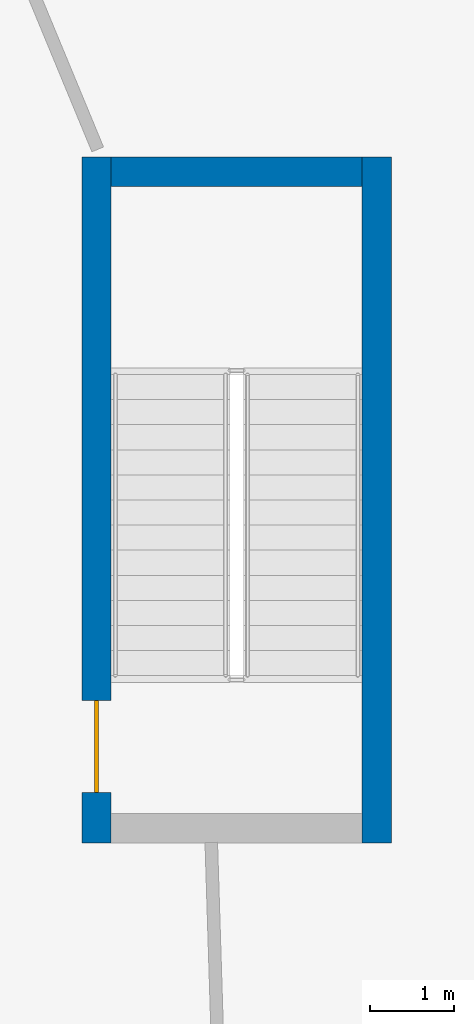
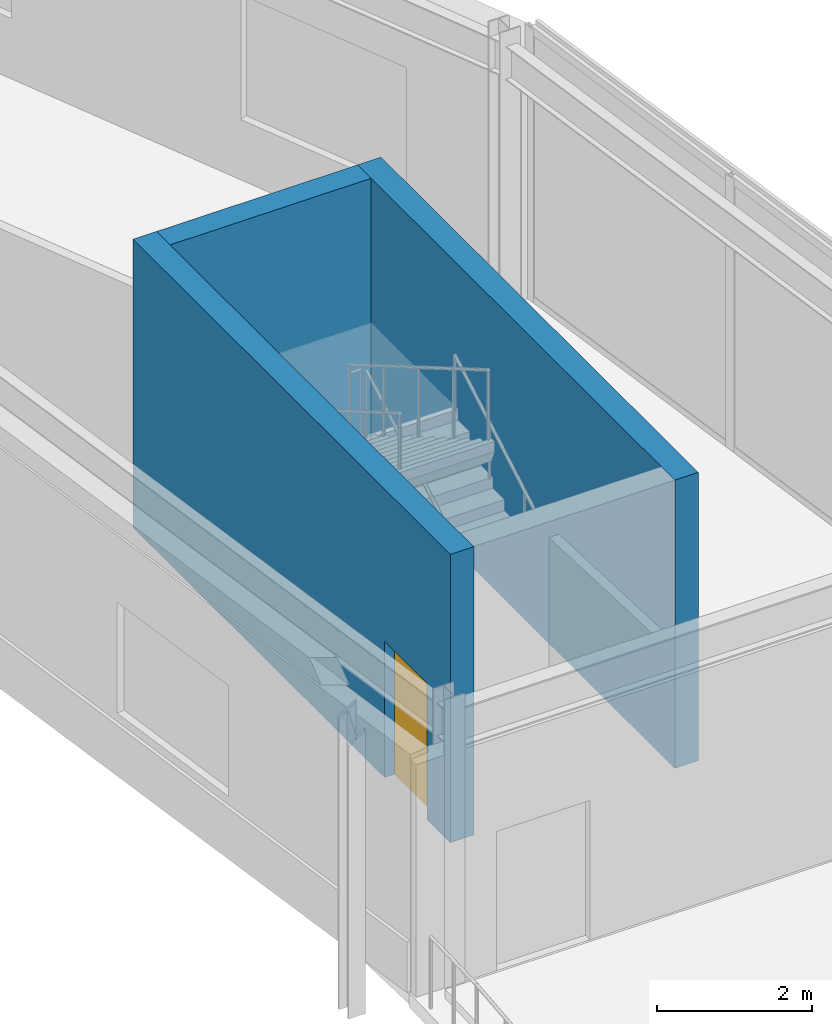
# One storey, part 61 of 89: 3 walls, 1 door, 1 opening.
"""IFC4 building model written with IfcOpenShell, lengths in metres."""

from ifc_helpers import new_model, si_unit, direction, frame, frame_2d, origin, place, context, subcontext, project, spatial, rectangle, extrude, material, layer, layer_set, type_object, element, fill, save


model = new_model("IFC4")

# Units and contexts
model_context = context("Model", 3, precision=1e-05, world=origin(), true_north=direction((0.0, 1.0)))
body_context = subcontext(model_context, "Body", "Model", "MODEL_VIEW")
ifc_project = project(units=[si_unit("LENGTHUNIT", "METRE"), si_unit("AREAUNIT", "SQUARE_METRE"), si_unit("VOLUMEUNIT", "CUBIC_METRE"), si_unit("PLANEANGLEUNIT", "RADIAN"), si_unit("MASSUNIT", "GRAM", prefix="KILO")], contexts=[model_context])

# Site, building, storey
site_placement = place(None, origin())
site = spatial("IfcSite", under=ifc_project, at=site_placement, CompositionType="ELEMENT")
building_placement = place(site_placement, origin())
building = spatial("IfcBuilding", under=site, at=building_placement, Name="Almandine Court Research Institute", CompositionType="ELEMENT")
storey_placement = place(building_placement, frame((0.0, 0.0, 18.89990234375)))
storey = spatial("IfcBuildingStorey", under=building, at=storey_placement, Name="L04", CompositionType="ELEMENT", Elevation=18.89990234375)

# Wall, opening, door
ifc_material_1 = material(Name="Concrete C40/50", Category="concrete")
ifc_layer = layer(ifc_material_1, 0.35009765625)
ifc_layer_set = layer_set([ifc_layer], Name="Concrete C40/50")
wall_type = type_object("IfcWallType", Name="Wall-SW-CORE-350", PredefinedType="SHEAR", material=ifc_layer_set)
wall_1_placement = place(storey_placement, frame((127.824951171875, 58.64990234375, 0.0), z_axis=(0.0, 0.0, 1.0), x_axis=(0.0, 1.0, 0.0)))
wall_1 = element("IfcWall", 1, at=wall_1_placement, inside=storey, type_object=wall_type, Name="L04 ST-14 W Shear Wall", PredefinedType="SHEAR", context=body_context, shape_type="SweptSolid", body=[
    extrude(rectangle(XDim=8.2001953125, YDim=0.35009765625, at=frame_2d((4.10009765625, 0.0))), origin(), (0.0, 0.0, 1.0), 4.550048828125),
])
opening_placement = place(wall_1_placement, frame((0.60009765625, 0.0, 0.0)))
opening = element("IfcOpeningElement", 2, at=opening_placement, cuts=wall_1, Name="Opening FD-STAIR", PredefinedType="OPENING", context=body_context, shape_type="SweptSolid", body=[
    extrude(rectangle(XDim=1.10009765625, YDim=2.14990234375, at=frame_2d((0.550048828125, 1.074951171875))), frame((0.0, 0.18505859375, 0.0), z_axis=(0.0, -1.0, 0.0), x_axis=(1.0, 0.0, 0.0)), (0.0, 0.0, 1.0), 0.3701171875),
])
ifc_material_2 = material(Name="Self-Closing Steel Exit Stair Fire Door", Category="steel")
door_type = type_object("IfcDoorType", Name="Door-FD-STAIR-1100", OperationType="NOTDEFINED", PredefinedType="DOOR", material=ifc_material_2)
door_placement = place(opening_placement, origin())
door = element("IfcDoor", 3, at=door_placement, inside=storey, type_object=door_type, Name="L04 Exit Stair ST-14 Fire Door", OperationType="SINGLE_SWING_RIGHT", OverallHeight=2.14990234375, OverallWidth=1.10009765625, PredefinedType="DOOR", context=body_context, shape_type="SweptSolid", body=[
    extrude(rectangle(XDim=1.10009765625, YDim=2.14990234375, at=frame_2d((0.550048828125, 1.074951171875))), frame((0.0, 0.02490234375, 0.0), z_axis=(0.0, -1.0, 0.0), x_axis=(1.0, 0.0, 0.0)), (0.0, 0.0, 1.0), 0.050048828125),
])
fill(opening, door)

# Walls
wall_2_placement = place(storey_placement, frame((128.0, 66.675048828125, 0.0), z_axis=(0.0, 0.0, 1.0), x_axis=(1.0, 0.0, 0.0)))
element("IfcWall", 4, at=wall_2_placement, inside=storey, type_object=wall_type, Name="L04 ST-14 N Shear Wall", PredefinedType="SHEAR", context=body_context, shape_type="SweptSolid", body=[
    extrude(rectangle(XDim=3.0, YDim=0.35009765625, at=frame_2d((1.5, 0.0))), origin(), (0.0, 0.0, 1.0), 4.550048828125),
])
wall_3_placement = place(storey_placement, frame((131.175048828125, 66.85009765625, 0.0), z_axis=(0.0, 0.0, 1.0), x_axis=(0.0, -1.0, 0.0)))
element("IfcWall", 5, at=wall_3_placement, inside=storey, type_object=wall_type, Name="L04 ST-14 E Shear Wall", PredefinedType="SHEAR", context=body_context, shape_type="SweptSolid", body=[
    extrude(rectangle(XDim=8.2001953125, YDim=0.35009765625, at=frame_2d((4.10009765625, 0.0))), origin(), (0.0, 0.0, 1.0), 4.550048828125),
])

save(model, "model.ifc")
